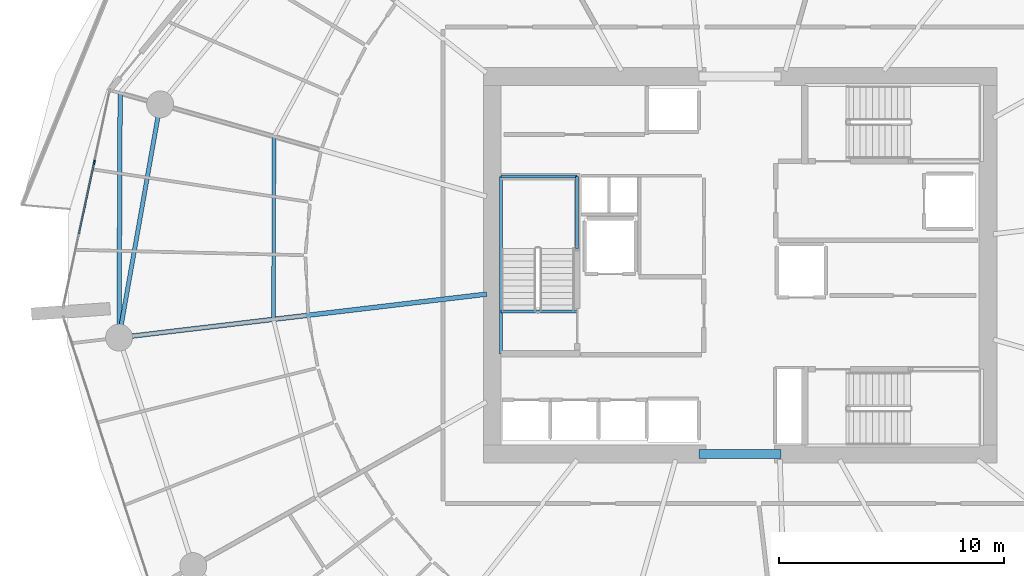
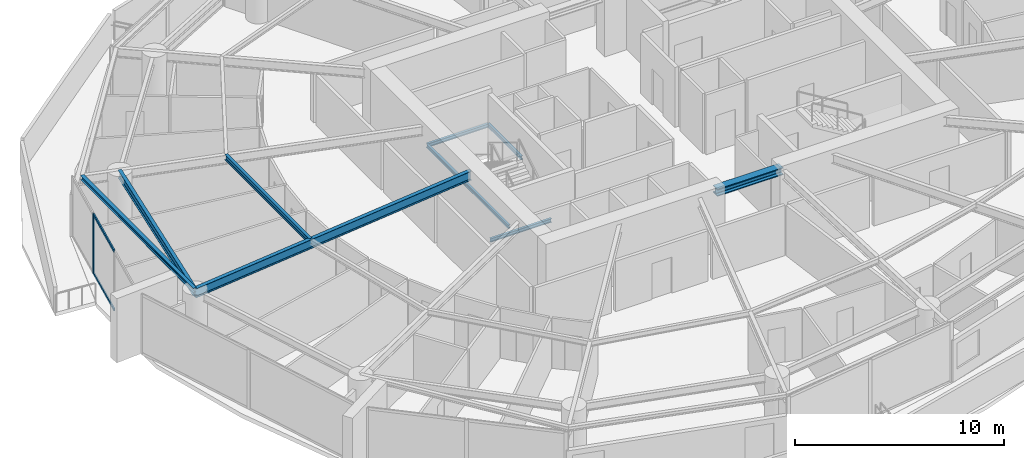
# One storey, part 6 of 23: 9 beams, 3 members, 1 element without a shape of its own.
"""IFC4 building model written with IfcOpenShell, lengths in metres."""

from ifc_helpers import new_model, si_unit, direction, frame, origin, origin_2d, place, context, subcontext, project, spatial, rectangle, i_section, extrude, material, layer, layer_set, material_profile, profile_set, type_object, element, aggregate, save


model = new_model("IFC4")

# Units and contexts
model_context = context("Model", 3, precision=1e-05, world=origin(), true_north=direction((0.0, 1.0)))
body_context = subcontext(model_context, "Body", "Model", "MODEL_VIEW")
ifc_project = project(units=[si_unit("LENGTHUNIT", "METRE"), si_unit("AREAUNIT", "SQUARE_METRE"), si_unit("VOLUMEUNIT", "CUBIC_METRE"), si_unit("PLANEANGLEUNIT", "RADIAN"), si_unit("MASSUNIT", "GRAM", prefix="KILO")], contexts=[model_context])

# Site, building, storey
site_placement = place(None, origin())
site = spatial("IfcSite", under=ifc_project, at=site_placement, CompositionType="ELEMENT")
building_placement = place(site_placement, origin())
building = spatial("IfcBuilding", under=site, at=building_placement, Name="Kazma Halo Residences", CompositionType="ELEMENT")
storey_placement = place(building_placement, frame((0.0, 0.0, 78.89990234375)))
storey = spatial("IfcBuildingStorey", under=building, at=storey_placement, Name="L19", CompositionType="ELEMENT", Elevation=78.89990234375)

# Beams
ifc_material_1 = material(Name="Steel S355", Category="steel")
ifc_material_profile_1 = material_profile(ifc_material_1, i_section(OverallWidth=0.201904296875, OverallDepth=0.2470703125, WebThickness=0.00732421875, FlangeThickness=0.010986328125, FilletRadius=0.011962890625, at=origin_2d()), Name="W250x49.1")
ifc_profile_set_1 = profile_set([ifc_material_profile_1], Name="Steel S355")
beam_type_1 = type_object("IfcBeamType", Name="BM-BAL-CANT", PredefinedType="BEAM", material=ifc_profile_set_1)
beam_1_placement = place(storey_placement, frame((20.8427734375, 49.6591796875, 3.376708984375), z_axis=(-0.004532963616, -0.999989726068, 0.0), x_axis=(0.999989726068, -0.004532963616, 0.0)))
element("IfcBeam", 1, at=beam_1_placement, inside=storey, type_object=beam_type_1, Name="L19 wave-balcony tie beam 07", PredefinedType="BEAM", context=body_context, shape_type="SweptSolid", body=[
    extrude(i_section(OverallWidth=0.201904296875, OverallDepth=0.2470703125, WebThickness=0.00732421875, FlangeThickness=0.010986328125, FilletRadius=0.011962890625, at=origin_2d()), origin(), (0.0, 0.0, 1.0), 10.87939453125),
])
ifc_material_profile_2 = material_profile(ifc_material_1, i_section(OverallWidth=0.408935546875, OverallDepth=0.425048828125, WebThickness=0.03271484375, FlangeThickness=0.052490234375, FilletRadius=0.02001953125, at=origin_2d()), Name="W360x421")
ifc_profile_set_2 = profile_set([ifc_material_profile_2], Name="Steel S355")
beam_type_2 = type_object("IfcBeamType", Name="BM-CORE-W360H", PredefinedType="BEAM", material=ifc_profile_set_2)
beam_2_placement = place(storey_placement, frame((46.60009765625, 33.60009765625, 3.28759765625), z_axis=(1.0, 0.0, 0.0), x_axis=(0.0, 1.0, 0.0)))
element("IfcBeam", 2, at=beam_2_placement, inside=storey, type_object=beam_type_2, Name="L19 core coupling beam S", PredefinedType="BEAM", context=body_context, shape_type="SweptSolid", body=[
    extrude(i_section(OverallWidth=0.408935546875, OverallDepth=0.425048828125, WebThickness=0.03271484375, FlangeThickness=0.052490234375, FilletRadius=0.02001953125, at=origin_2d()), origin(), (0.0, 0.0, 1.0), 3.64990234375),
])
ifc_material_profile_3 = material_profile(ifc_material_1, i_section(OverallWidth=0.208984375, OverallDepth=0.532958984375, WebThickness=0.01025390625, FlangeThickness=0.015625, FilletRadius=0.01611328125, at=origin_2d()), Name="W530x92")
ifc_profile_set_3 = profile_set([ifc_material_profile_3], Name="Steel S355")
beam_type_3 = type_object("IfcBeamType", Name="BM-RAD-W530", PredefinedType="BEAM", material=ifc_profile_set_3)
beam_3_placement = place(storey_placement, frame((37.14990234375, 40.7158203125, 3.233642578125), z_axis=(-0.99306759037, -0.117544718963, 0.0), x_axis=(0.117544718963, -0.99306759037, 0.0)))
element("IfcBeam", 3, at=beam_3_placement, inside=storey, type_object=beam_type_3, Name="L19 radial floor beam 08", PredefinedType="BEAM", context=body_context, shape_type="SweptSolid", body=[
    extrude(i_section(OverallWidth=0.208984375, OverallDepth=0.532958984375, WebThickness=0.01025390625, FlangeThickness=0.015625, FilletRadius=0.01611328125, at=origin_2d()), origin(), (0.0, 0.0, 1.0), 16.470703125),
])
ifc_material_profile_4 = material_profile(ifc_material_1, i_section(OverallWidth=0.1650390625, OverallDepth=0.31005859375, WebThickness=0.005859375, FlangeThickness=0.009765625, FilletRadius=0.011962890625, at=origin_2d()), Name="W310x38.7")
ifc_profile_set_4 = profile_set([ifc_material_profile_4], Name="Steel S355")
beam_type_4 = type_object("IfcBeamType", Name="BM-SEC-W310B", PredefinedType="JOIST", material=ifc_profile_set_4)
beam_4_placement = place(storey_placement, frame((27.69189453125, 47.7275390625, 3.34521484375), z_axis=(-0.003541500645, -0.999993728867, 0.0), x_axis=(0.999993728867, -0.003541500645, 0.0)))
element("IfcBeam", 4, at=beam_4_placement, inside=storey, type_object=beam_type_4, Name="L19 circumferential floor joist 07", PredefinedType="JOIST", context=body_context, shape_type="SweptSolid", body=[
    extrude(i_section(OverallWidth=0.1650390625, OverallDepth=0.31005859375, WebThickness=0.005859375, FlangeThickness=0.009765625, FilletRadius=0.011962890625, at=origin_2d()), origin(), (0.0, 0.0, 1.0), 8.134521484375),
])
ifc_material_profile_5 = material_profile(ifc_material_1, i_section(OverallWidth=0.18994140625, OverallDepth=0.45703125, WebThickness=0.009033203125, FlangeThickness=0.014404296875, FilletRadius=0.01611328125, at=origin_2d()), Name="W460x74")
ifc_profile_set_5 = profile_set([ifc_material_profile_5], Name="Steel S355")
beam_type_5 = type_object("IfcBeamType", Name="BM-SPN-W460", PredefinedType="BEAM", material=ifc_profile_set_5)
beam_5_placement = place(storey_placement, frame((22.623291015625, 49.156982421875, 3.271484375), z_axis=(-0.173653159051, -0.984806874647, 0.0), x_axis=(0.984806874647, -0.173653159051, 0.0)))
element("IfcBeam", 5, at=beam_5_placement, inside=storey, type_object=beam_type_5, Name="L19 perimeter ring beam 07", PredefinedType="BEAM", context=body_context, shape_type="SweptSolid", body=[
    extrude(i_section(OverallWidth=0.18994140625, OverallDepth=0.45703125, WebThickness=0.009033203125, FlangeThickness=0.014404296875, FilletRadius=0.01611328125, at=origin_2d()), origin(), (0.0, 0.0, 1.0), 10.537353515625),
])
ifc_material_profile_6 = material_profile(ifc_material_1, i_section(OverallWidth=0.133056640625, OverallDepth=0.20703125, WebThickness=0.005859375, FlangeThickness=0.00830078125, FilletRadius=0.010009765625, at=origin_2d()), Name="W200x26.6")
ifc_profile_set_6 = profile_set([ifc_material_profile_6], Name="Steel S355")
beam_type_6 = type_object("IfcBeamType", Name="BM-TRIM-W200", PredefinedType="BEAM", material=ifc_profile_set_6)
beam_6_placement = place(storey_placement, frame((37.800048828125, 39.949951171875, -0.35986328125), z_axis=(1.0, 0.0, 0.0), x_axis=(0.0, 1.0, 0.0)))
element("IfcBeam", 6, at=beam_6_placement, inside=storey, type_object=beam_type_6, Name="L19 ST-01 floor landing support beam", PredefinedType="BEAM", context=body_context, shape_type="SweptSolid", body=[
    extrude(i_section(OverallWidth=0.133056640625, OverallDepth=0.20703125, WebThickness=0.005859375, FlangeThickness=0.00830078125, FilletRadius=0.010009765625, at=origin_2d()), origin(), (0.0, 0.0, 1.0), 3.3798828125),
])
beam_7_placement = place(storey_placement, frame((37.780029296875, 38.06005859375, 1.570068359375), z_axis=(0.0, 1.0, 0.0), x_axis=(-1.0, 0.0, 0.0)))
element("IfcBeam", 7, at=beam_7_placement, inside=storey, type_object=beam_type_6, Name="L19 ST-01 landing west wall ledger", PredefinedType="BEAM", context=body_context, shape_type="SweptSolid", body=[
    extrude(i_section(OverallWidth=0.133056640625, OverallDepth=0.20703125, WebThickness=0.005859375, FlangeThickness=0.00830078125, FilletRadius=0.010009765625, at=origin_2d()), origin(), (0.0, 0.0, 1.0), 7.8798828125),
])
beam_8_placement = place(storey_placement, frame((41.179931640625, 42.75, 1.570068359375), z_axis=(0.0, 1.0, 0.0), x_axis=(-1.0, 0.0, 0.0)))
element("IfcBeam", 8, at=beam_8_placement, inside=storey, type_object=beam_type_6, Name="L19 ST-01 landing east wall ledger", PredefinedType="BEAM", context=body_context, shape_type="SweptSolid", body=[
    extrude(i_section(OverallWidth=0.133056640625, OverallDepth=0.20703125, WebThickness=0.005859375, FlangeThickness=0.00830078125, FilletRadius=0.010009765625, at=origin_2d()), origin(), (0.0, 0.0, 1.0), 3.18994140625),
])
beam_9_placement = place(storey_placement, frame((37.780029296875, 45.93994140625, 1.570068359375), z_axis=(1.0, 0.0, 0.0), x_axis=(0.0, 1.0, 0.0)))
element("IfcBeam", 9, at=beam_9_placement, inside=storey, type_object=beam_type_6, Name="L19 ST-01 landing end wall ledger", PredefinedType="BEAM", context=body_context, shape_type="SweptSolid", body=[
    extrude(i_section(OverallWidth=0.133056640625, OverallDepth=0.20703125, WebThickness=0.005859375, FlangeThickness=0.00830078125, FilletRadius=0.010009765625, at=origin_2d()), origin(), (0.0, 0.0, 1.0), 3.39990234375),
])

# Curtain wall, members
ifc_material_2 = material(Name="Aluminium AW-6063 T6 and Triple-Silver Low-E Glass", Category="aluminium")
ifc_layer = layer(ifc_material_2, 0.199951171875)
ifc_layer_set = layer_set([ifc_layer], Name="Aluminium AW-6063 T6 and Triple-Silver Low-E Glass")
curtain_wall_type = type_object("IfcCurtainWallType", Name="CW-SYS-3", PredefinedType="NOTDEFINED", material=ifc_layer_set)
curtain_wall_placement = place(storey_placement, origin())
curtain_wall = element("IfcCurtainWall", 10, at=curtain_wall_placement, inside=storey, type_object=curtain_wall_type, Name="L19 unitised curtain wall B07", PredefinedType="NOTDEFINED")
ifc_material_3 = material(Name="Aluminium AW-6063 T6", Category="aluminium")
ifc_material_profile_7 = material_profile(ifc_material_3, rectangle(XDim=0.070068359375, YDim=0.199951171875, at=origin_2d()), Name="CWM-70x200")
ifc_profile_set_7 = profile_set([ifc_material_profile_7], Name="Aluminium AW-6063 T6")
member_type_1 = type_object("IfcMemberType", Name="CW-SYS-3-MUL", PredefinedType="MULLION", material=ifc_profile_set_7)
member_1_placement = place(storey_placement, frame((19.69287109375, 46.5791015625, 0.0), z_axis=(0.0, 0.0, 1.0), x_axis=(0.977774176093, -0.209660822677, 0.0)))
member_1 = element("IfcMember", 11, at=member_1_placement, type_object=member_type_1, Name="CWS-3 mullion 2", PredefinedType="MULLION", context=body_context, shape_type="SweptSolid", body=[
    extrude(rectangle(XDim=0.070068359375, YDim=0.199951171875, at=origin_2d()), origin(), (0.0, 0.0, 1.0), 3.5),
])
ifc_material_profile_8 = material_profile(ifc_material_3, rectangle(XDim=0.070068359375, YDim=0.14990234375, at=origin_2d()), Name="CWT-70x150")
ifc_profile_set_8 = profile_set([ifc_material_profile_8], Name="Aluminium AW-6063 T6")
member_type_2 = type_object("IfcMemberType", Name="CW-SYS-3-TRN", PredefinedType="USERDEFINED", material=ifc_profile_set_8)
member_2_placement = place(storey_placement, frame((19.685546875, 46.544921875, 0.03515625), z_axis=(-0.209627675811, -0.977781283076, 0.0), x_axis=(0.977781283076, -0.209627675811, 0.0)))
member_2 = element("IfcMember", 12, at=member_2_placement, type_object=member_type_2, Name="CWS-3 transom 2.1", ObjectType="TRANSOM", PredefinedType="USERDEFINED", context=body_context, shape_type="SweptSolid", body=[
    extrude(rectangle(XDim=0.070068359375, YDim=0.14990234375, at=origin_2d()), origin(), (0.0, 0.0, 1.0), 3.213134765625),
])
member_3_placement = place(storey_placement, frame((19.685546875, 46.544921875, 3.465087890625), z_axis=(-0.209627675811, -0.977781283076, 0.0), x_axis=(0.977781283076, -0.209627675811, 0.0)))
member_3 = element("IfcMember", 13, at=member_3_placement, type_object=member_type_2, Name="CWS-3 transom 2.2", ObjectType="TRANSOM", PredefinedType="USERDEFINED", context=body_context, shape_type="SweptSolid", body=[
    extrude(rectangle(XDim=0.070068359375, YDim=0.14990234375, at=origin_2d()), origin(), (0.0, 0.0, 1.0), 3.213134765625),
])
aggregate(curtain_wall, [member_1, member_2, member_3])

save(model, "model.ifc")
